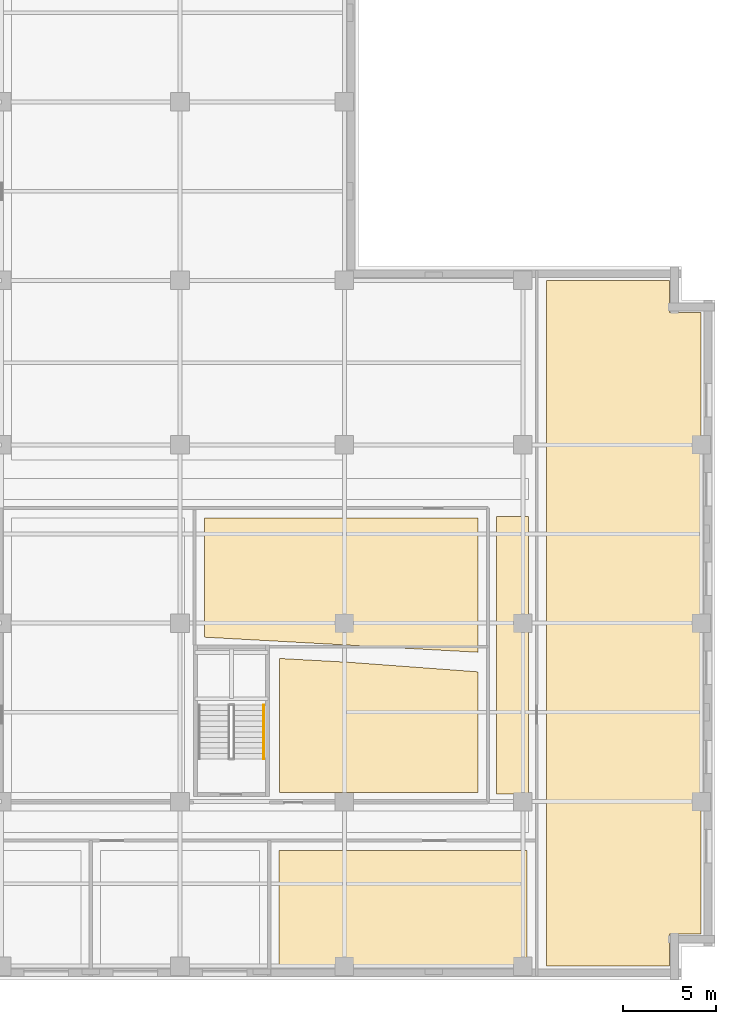
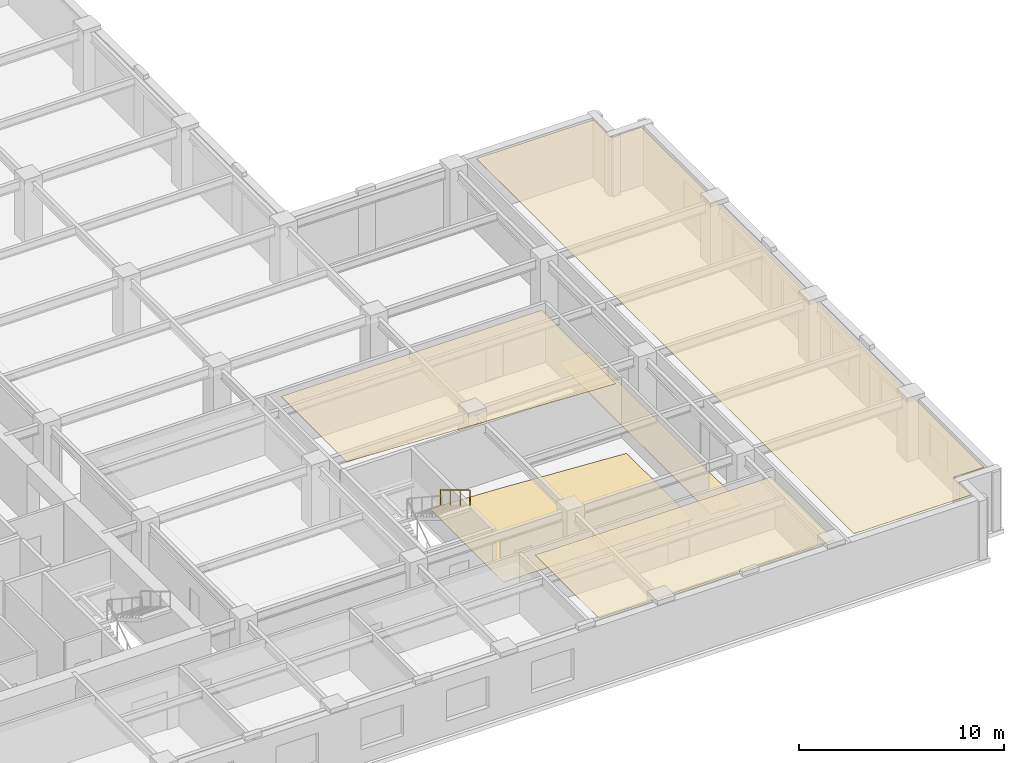
# One storey, part 8 of 11: 5 coverings, 1 railing.
"""IFC4 building model written with IfcOpenShell, lengths in metres."""

from ifc_helpers import new_model, si_unit, direction, frame, origin, origin_2d, place, context, subcontext, project, spatial, polyline, circle, outline, extrude, material, layer, layer_set, type_object, element, save


model = new_model("IFC4")

# Units and contexts
model_context = context("Model", 3, precision=1e-05, world=origin(), true_north=direction((0.0, 1.0)))
body_context = subcontext(model_context, "Body", "Model", "MODEL_VIEW")
ifc_project = project(units=[si_unit("LENGTHUNIT", "METRE"), si_unit("AREAUNIT", "SQUARE_METRE"), si_unit("VOLUMEUNIT", "CUBIC_METRE"), si_unit("PLANEANGLEUNIT", "RADIAN"), si_unit("MASSUNIT", "GRAM", prefix="KILO")], contexts=[model_context])

# Site, building, storey
site_placement = place(None, origin())
site = spatial("IfcSite", under=ifc_project, at=site_placement, CompositionType="ELEMENT")
building_placement = place(site_placement, origin())
building = spatial("IfcBuilding", under=site, at=building_placement, Name="Norrvale University Quadrangle", CompositionType="ELEMENT")
storey_placement = place(building_placement, frame((0.0, 0.0, 124.199951171875)))
storey = spatial("IfcBuildingStorey", under=building, at=storey_placement, Name="L31", CompositionType="ELEMENT", Elevation=124.199951171875)

# Coverings
ifc_material_1 = material(Name="Perforated Acoustic Mineral Ceiling")
ifc_layer_1 = layer(ifc_material_1, 0.02490234375, Name="Perforated Acoustic Mineral Ceiling")
ifc_layer_set_1 = layer_set([ifc_layer_1], Name="Perforated Acoustic Mineral Ceiling")
covering_type_1 = type_object("IfcCoveringType", Name="Covering Acoustic Ceiling 25", PredefinedType="CEILING", material=ifc_layer_set_1)
covering_1_placement = place(storey_placement, frame((0.0, 0.0, 3.51513671875)))
element("IfcCovering", 1, at=covering_1_placement, inside=storey, type_object=covering_type_1, Name="Acoustic Ceiling RM-L31-S04", PredefinedType="CEILING", context=body_context, shape_type="SweptSolid", body=[
    extrude(outline(polyline([(34.1298828125, 6.969970703125), (47.469970703125, 6.969970703125), (47.469970703125, 0.75), (34.1298828125, 0.75), (34.1298828125, 6.969970703125)])), origin(), (0.0, 0.0, 1.0), 0.02490234375),
])
covering_2_placement = place(storey_placement, frame((0.0, 0.0, 3.51513671875)))
element("IfcCovering", 2, at=covering_2_placement, inside=storey, type_object=covering_type_1, Name="Acoustic Ceiling RM-L31-E01", PredefinedType="CEILING", context=body_context, shape_type="SweptSolid", body=[
    extrude(outline(polyline([(48.530029296875, 0.75), (48.530029296875, 37.64990234375), (55.1298828125, 37.64990234375), (55.1298828125, 35.929931640625), (56.85009765625, 35.929931640625), (56.85009765625, 2.469970703125), (55.1298828125, 2.469970703125), (55.1298828125, 0.75), (48.530029296875, 0.75)])), origin(), (0.0, 0.0, 1.0), 0.02490234375),
])
covering_3_placement = place(storey_placement, frame((0.0, 0.0, 3.51513671875)))
element("IfcCovering", 3, at=covering_3_placement, inside=storey, type_object=covering_type_1, Name="Acoustic Ceiling RM-L31-ILH", PredefinedType="CEILING", context=body_context, shape_type="SweptSolid", body=[
    extrude(outline(polyline([(30.1298828125, 18.446044921875), (30.1298828125, 24.8701171875), (44.844970703125, 24.8701171875), (44.844970703125, 17.635009765625), (30.1298828125, 18.446044921875)])), origin(), (0.0, 0.0, 1.0), 0.02490234375),
])
ifc_material_2 = material(Name="Polished Terrazzo Flooring")
ifc_layer_2 = layer(ifc_material_2, 0.02490234375, Name="Polished Terrazzo Flooring")
ifc_layer_set_2 = layer_set([ifc_layer_2], Name="Polished Terrazzo Flooring")
covering_type_2 = type_object("IfcCoveringType", Name="Covering Terrazzo Floor 30", PredefinedType="FLOORING", material=ifc_layer_set_2)
covering_4_placement = place(storey_placement, origin())
element("IfcCovering", 4, at=covering_4_placement, inside=storey, type_object=covering_type_2, Name="Terrazzo Flooring RM-L31-CORR2", PredefinedType="FLOORING", context=body_context, shape_type="SweptSolid", body=[
    extrude(outline(polyline([(45.824951171875, 10.0), (45.824951171875, 24.949951171875), (47.550048828125, 24.949951171875), (47.550048828125, 10.0), (45.824951171875, 10.0)])), origin(), (0.0, 0.0, 1.0), 0.025146484375),
])
covering_5_placement = place(storey_placement, origin())
element("IfcCovering", 5, at=covering_5_placement, inside=storey, type_object=covering_type_2, Name="Terrazzo Flooring RM-L31-ISE", PredefinedType="FLOORING", context=body_context, shape_type="SweptSolid", body=[
    extrude(outline(polyline([(44.844970703125, 16.58203125), (44.844970703125, 10.080078125), (34.14990234375, 10.080078125), (34.14990234375, 17.303955078125), (37.93603515625, 17.094970703125), (44.844970703125, 16.58203125)])), origin(), (0.0, 0.0, 1.0), 0.025146484375),
])

# Railing
ifc_material_3 = material(Name="Stainless Steel 316L Handrail", Category="steel")
railing_type = type_object("IfcRailingType", Name="Railing Stair Handrail 920", PredefinedType="HANDRAIL", material=ifc_material_3)
railing_placement = place(storey_placement, frame((33.31005859375, 14.800048828125, 2.07275390625)))
element("IfcRailing", 6, at=railing_placement, inside=storey, type_object=railing_type, Name="Stair Upper Flight Handrail ST-04 L31", PredefinedType="HANDRAIL", context=body_context, shape_type="SweptSolid", body=[
    extrude(circle(Radius=0.02392578125, at=origin_2d()), frame((0.0, 0.0, 0.89599609375), z_axis=(0.0, -0.859160404282, 0.51170636083), x_axis=(1.0, 0.0, 0.0)), (0.0, 0.0, 1.0), 3.37548828125),
    extrude(circle(Radius=0.02099609375, at=origin_2d()), origin(), (0.0, 0.0, 1.0), 0.871826171875),
    extrude(circle(Radius=0.02099609375, at=origin_2d()), frame((0.0, -0.966796875, 0.57568359375)), (0.0, 0.0, 1.0), 0.871826171875),
    extrude(circle(Radius=0.02099609375, at=origin_2d()), frame((0.0, -1.933349609375, 1.151611328125)), (0.0, 0.0, 1.0), 0.871826171875),
    extrude(circle(Radius=0.02099609375, at=origin_2d()), frame((0.0, -2.900146484375, 1.727294921875)), (0.0, 0.0, 1.0), 0.871826171875),
])

save(model, "model.ifc")
